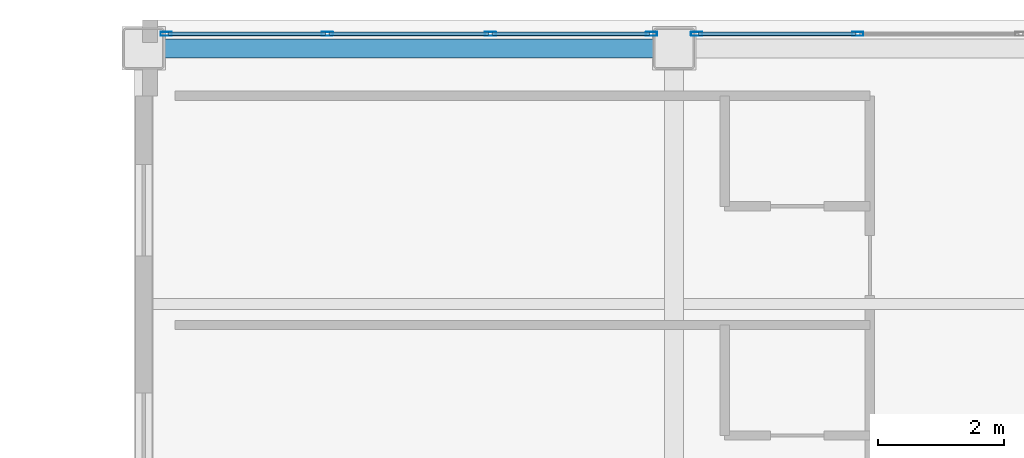
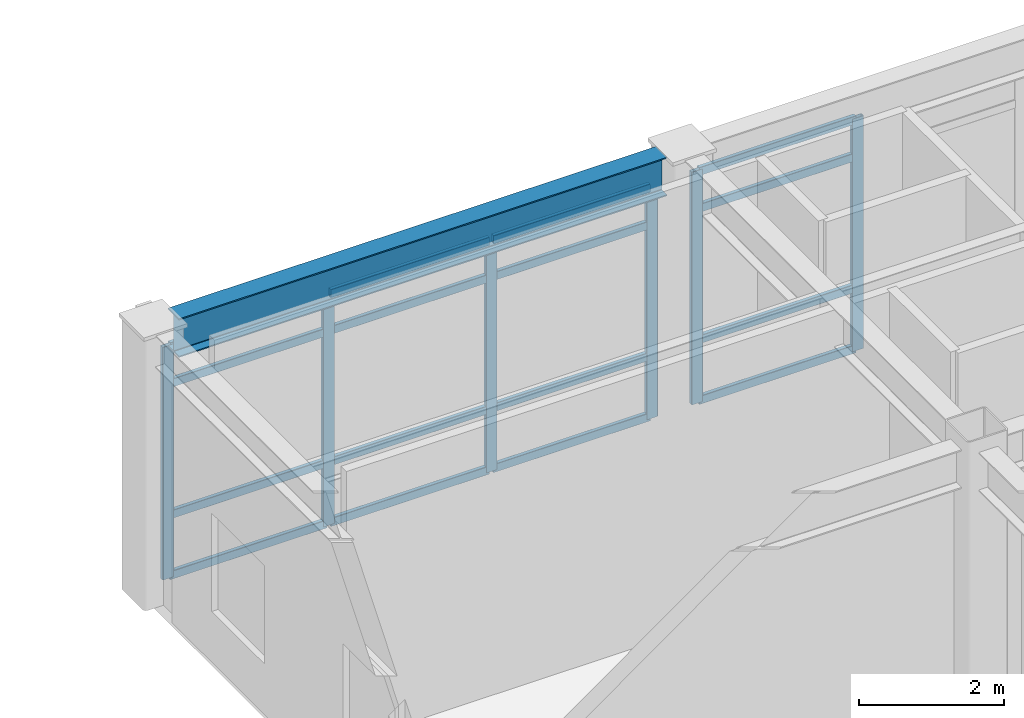
# One storey, part 37 of 61: 22 members, 1 beam, 2 elements without a shape of their own.
"""IFC4 building model written with IfcOpenShell, lengths in metres."""

from ifc_helpers import new_model, si_unit, direction, frame, origin, origin_2d, place, context, subcontext, project, spatial, hollow_rectangle, i_section, extrude, material, layer, layer_set, material_profile, profile_set, type_object, element, aggregate, save


model = new_model("IFC4")

# Units and contexts
model_context = context("Model", 3, precision=1e-05, world=origin(), true_north=direction((0.0, 1.0)))
body_context = subcontext(model_context, "Body", "Model", "MODEL_VIEW")
ifc_project = project(units=[si_unit("LENGTHUNIT", "METRE"), si_unit("AREAUNIT", "SQUARE_METRE"), si_unit("VOLUMEUNIT", "CUBIC_METRE"), si_unit("PLANEANGLEUNIT", "RADIAN"), si_unit("MASSUNIT", "GRAM", prefix="KILO")], contexts=[model_context])

# Site, building, storey
site_placement = place(None, origin())
site = spatial("IfcSite", under=ifc_project, at=site_placement, CompositionType="ELEMENT")
building_placement = place(site_placement, origin())
building = spatial("IfcBuilding", under=site, at=building_placement, Name="Kazehara Bluff Congress Hotel", CompositionType="ELEMENT")
storey_placement = place(building_placement, frame((0.0, 0.0, 19.800048828125)))
storey = spatial("IfcBuildingStorey", under=building, at=storey_placement, Name="L04", CompositionType="ELEMENT", Elevation=19.800048828125)

# Curtain wall, members
ifc_material_1 = material(Name="Anodised aluminium", Category="aluminium")
ifc_layer = layer(ifc_material_1, 0.159912109375)
ifc_layer_set = layer_set([ifc_layer], Name="Anodised aluminium")
curtain_wall_type = type_object("IfcCurtainWallType", Name="TP-CW-158", PredefinedType="NOTDEFINED", material=ifc_layer_set)
curtain_wall_1_placement = place(storey_placement, origin())
curtain_wall_1 = element("IfcCurtainWall", 1, at=curtain_wall_1_placement, inside=storey, type_object=curtain_wall_type, Name="L04 curtain wall CW-158 CW-ENC-V5-L04-14790-11378", PredefinedType="NOTDEFINED")
ifc_material_2 = material(Name="Anodised aluminium", Category="aluminium")
ifc_material_profile_1 = material_profile(ifc_material_2, hollow_rectangle(XDim=0.06494140625, YDim=0.179931640625, WallThickness=0.00390625, InnerFilletRadius=0.00390625, OuterFilletRadius=0.008056640625, at=origin_2d()))
ifc_profile_set_1 = profile_set([ifc_material_profile_1], Name="Anodised aluminium")
member_type_1 = type_object("IfcMemberType", Name="TP-CWM-02", PredefinedType="MULLION", material=ifc_profile_set_1)
member_1_placement = place(storey_placement, frame((144.0576171875, 113.780029296875, 0.0), z_axis=(0.0, 0.0, 1.0), x_axis=(0.0, 1.0, 0.0)))
member_1 = element("IfcMember", 2, at=member_1_placement, type_object=member_type_1, Name="CW-158 mullion 1", PredefinedType="MULLION", context=body_context, shape_type="SweptSolid", body=[
    extrude(hollow_rectangle(XDim=0.06494140625, YDim=0.179931640625, WallThickness=0.00390625, InnerFilletRadius=0.00390625, OuterFilletRadius=0.008056640625, at=origin_2d()), origin(), (0.0, 0.0, 1.0), 3.905029296875),
])
member_2_placement = place(storey_placement, frame((146.6083984375, 113.780029296875, 0.0), z_axis=(0.0, 0.0, 1.0), x_axis=(0.0, 1.0, 0.0)))
member_2 = element("IfcMember", 3, at=member_2_placement, type_object=member_type_1, Name="CW-158 mullion 2", PredefinedType="MULLION", context=body_context, shape_type="SweptSolid", body=[
    extrude(hollow_rectangle(XDim=0.06494140625, YDim=0.179931640625, WallThickness=0.00390625, InnerFilletRadius=0.00390625, OuterFilletRadius=0.008056640625, at=origin_2d()), origin(), (0.0, 0.0, 1.0), 3.905029296875),
])
member_3_placement = place(storey_placement, frame((149.191650390625, 113.780029296875, 0.0), z_axis=(0.0, 0.0, 1.0), x_axis=(0.0, 1.0, 0.0)))
member_3 = element("IfcMember", 4, at=member_3_placement, type_object=member_type_1, Name="CW-158 mullion 3", PredefinedType="MULLION", context=body_context, shape_type="SweptSolid", body=[
    extrude(hollow_rectangle(XDim=0.06494140625, YDim=0.179931640625, WallThickness=0.00390625, InnerFilletRadius=0.00390625, OuterFilletRadius=0.008056640625, at=origin_2d()), origin(), (0.0, 0.0, 1.0), 3.905029296875),
])
member_4_placement = place(storey_placement, frame((151.742431640625, 113.780029296875, 0.0), z_axis=(0.0, 0.0, 1.0), x_axis=(0.0, 1.0, 0.0)))
member_4 = element("IfcMember", 5, at=member_4_placement, type_object=member_type_1, Name="CW-158 mullion 4", PredefinedType="MULLION", context=body_context, shape_type="SweptSolid", body=[
    extrude(hollow_rectangle(XDim=0.06494140625, YDim=0.179931640625, WallThickness=0.00390625, InnerFilletRadius=0.00390625, OuterFilletRadius=0.008056640625, at=origin_2d()), origin(), (0.0, 0.0, 1.0), 3.905029296875),
])

curtain_wall_2_placement = place(storey_placement, origin())
curtain_wall_2 = element("IfcCurtainWall", 6, at=curtain_wall_2_placement, inside=storey, type_object=curtain_wall_type, Name="L04 curtain wall CW-158 CW-ENC-V5-L04-15630-11378", PredefinedType="NOTDEFINED")
member_5_placement = place(storey_placement, frame((152.45751953125, 113.780029296875, 0.0), z_axis=(0.0, 0.0, 1.0), x_axis=(0.0, 1.0, 0.0)))
member_5 = element("IfcMember", 7, at=member_5_placement, type_object=member_type_1, Name="CW-158 mullion 1", PredefinedType="MULLION", context=body_context, shape_type="SweptSolid", body=[
    extrude(hollow_rectangle(XDim=0.06494140625, YDim=0.179931640625, WallThickness=0.00390625, InnerFilletRadius=0.00390625, OuterFilletRadius=0.008056640625, at=origin_2d()), origin(), (0.0, 0.0, 1.0), 3.905029296875),
])
member_6_placement = place(storey_placement, frame((155.00830078125, 113.780029296875, 0.0), z_axis=(0.0, 0.0, 1.0), x_axis=(0.0, 1.0, 0.0)))
member_6 = element("IfcMember", 8, at=member_6_placement, type_object=member_type_1, Name="CW-158 mullion 2", PredefinedType="MULLION", context=body_context, shape_type="SweptSolid", body=[
    extrude(hollow_rectangle(XDim=0.06494140625, YDim=0.179931640625, WallThickness=0.00390625, InnerFilletRadius=0.00390625, OuterFilletRadius=0.008056640625, at=origin_2d()), origin(), (0.0, 0.0, 1.0), 3.905029296875),
])

# Member
ifc_material_3 = material(Name="Anodised aluminium", Category="aluminium")
ifc_material_profile_2 = material_profile(ifc_material_3, hollow_rectangle(XDim=0.06494140625, YDim=0.139892578125, WallThickness=0.00390625, InnerFilletRadius=0.00390625, OuterFilletRadius=0.008056640625, at=origin_2d()))
ifc_profile_set_2 = profile_set([ifc_material_profile_2], Name="Anodised aluminium")
member_type_2 = type_object("IfcMemberType", Name="TP-CWT-02", PredefinedType="USERDEFINED", material=ifc_profile_set_2)
member_7_placement = place(storey_placement, frame((144.090087890625, 113.780029296875, 0.032470703125), z_axis=(1.0, 0.0, 0.0), x_axis=(0.0, 1.0, 0.0)))
member_7 = element("IfcMember", 9, at=member_7_placement, type_object=member_type_2, Name="CW-158 transom 1.1", ObjectType="TRANSOM", PredefinedType="USERDEFINED", context=body_context, shape_type="SweptSolid", body=[
    extrude(hollow_rectangle(XDim=0.06494140625, YDim=0.139892578125, WallThickness=0.00390625, InnerFilletRadius=0.00390625, OuterFilletRadius=0.008056640625, at=origin_2d()), origin(), (0.0, 0.0, 1.0), 2.48583984375),
])

member_8_placement = place(storey_placement, frame((144.090087890625, 113.780029296875, 1.050048828125), z_axis=(1.0, 0.0, 0.0), x_axis=(0.0, 1.0, 0.0)))
member_8 = element("IfcMember", 10, at=member_8_placement, type_object=member_type_2, Name="CW-158 transom 1.2", ObjectType="TRANSOM", PredefinedType="USERDEFINED", context=body_context, shape_type="SweptSolid", body=[
    extrude(hollow_rectangle(XDim=0.06494140625, YDim=0.139892578125, WallThickness=0.00390625, InnerFilletRadius=0.00390625, OuterFilletRadius=0.008056640625, at=origin_2d()), origin(), (0.0, 0.0, 1.0), 2.48583984375),
])

member_9_placement = place(storey_placement, frame((144.090087890625, 113.780029296875, 3.2548828125), z_axis=(1.0, 0.0, 0.0), x_axis=(0.0, 1.0, 0.0)))
member_9 = element("IfcMember", 11, at=member_9_placement, type_object=member_type_2, Name="CW-158 transom 1.3", ObjectType="TRANSOM", PredefinedType="USERDEFINED", context=body_context, shape_type="SweptSolid", body=[
    extrude(hollow_rectangle(XDim=0.06494140625, YDim=0.139892578125, WallThickness=0.00390625, InnerFilletRadius=0.00390625, OuterFilletRadius=0.008056640625, at=origin_2d()), origin(), (0.0, 0.0, 1.0), 2.48583984375),
])

member_10_placement = place(storey_placement, frame((144.090087890625, 113.780029296875, 3.87255859375), z_axis=(1.0, 0.0, 0.0), x_axis=(0.0, 1.0, 0.0)))
member_10 = element("IfcMember", 12, at=member_10_placement, type_object=member_type_2, Name="CW-158 transom 1.4", ObjectType="TRANSOM", PredefinedType="USERDEFINED", context=body_context, shape_type="SweptSolid", body=[
    extrude(hollow_rectangle(XDim=0.06494140625, YDim=0.139892578125, WallThickness=0.00390625, InnerFilletRadius=0.00390625, OuterFilletRadius=0.008056640625, at=origin_2d()), origin(), (0.0, 0.0, 1.0), 2.48583984375),
])

member_11_placement = place(storey_placement, frame((146.640869140625, 113.780029296875, 0.032470703125), z_axis=(1.0, 0.0, 0.0), x_axis=(0.0, 1.0, 0.0)))
member_11 = element("IfcMember", 13, at=member_11_placement, type_object=member_type_2, Name="CW-158 transom 2.1", ObjectType="TRANSOM", PredefinedType="USERDEFINED", context=body_context, shape_type="SweptSolid", body=[
    extrude(hollow_rectangle(XDim=0.06494140625, YDim=0.139892578125, WallThickness=0.00390625, InnerFilletRadius=0.00390625, OuterFilletRadius=0.008056640625, at=origin_2d()), origin(), (0.0, 0.0, 1.0), 2.518310546875),
])

member_12_placement = place(storey_placement, frame((146.640869140625, 113.780029296875, 1.050048828125), z_axis=(1.0, 0.0, 0.0), x_axis=(0.0, 1.0, 0.0)))
member_12 = element("IfcMember", 14, at=member_12_placement, type_object=member_type_2, Name="CW-158 transom 2.2", ObjectType="TRANSOM", PredefinedType="USERDEFINED", context=body_context, shape_type="SweptSolid", body=[
    extrude(hollow_rectangle(XDim=0.06494140625, YDim=0.139892578125, WallThickness=0.00390625, InnerFilletRadius=0.00390625, OuterFilletRadius=0.008056640625, at=origin_2d()), origin(), (0.0, 0.0, 1.0), 2.518310546875),
])

member_13_placement = place(storey_placement, frame((146.640869140625, 113.780029296875, 3.2548828125), z_axis=(1.0, 0.0, 0.0), x_axis=(0.0, 1.0, 0.0)))
member_13 = element("IfcMember", 15, at=member_13_placement, type_object=member_type_2, Name="CW-158 transom 2.3", ObjectType="TRANSOM", PredefinedType="USERDEFINED", context=body_context, shape_type="SweptSolid", body=[
    extrude(hollow_rectangle(XDim=0.06494140625, YDim=0.139892578125, WallThickness=0.00390625, InnerFilletRadius=0.00390625, OuterFilletRadius=0.008056640625, at=origin_2d()), origin(), (0.0, 0.0, 1.0), 2.518310546875),
])

member_14_placement = place(storey_placement, frame((146.640869140625, 113.780029296875, 3.87255859375), z_axis=(1.0, 0.0, 0.0), x_axis=(0.0, 1.0, 0.0)))
member_14 = element("IfcMember", 16, at=member_14_placement, type_object=member_type_2, Name="CW-158 transom 2.4", ObjectType="TRANSOM", PredefinedType="USERDEFINED", context=body_context, shape_type="SweptSolid", body=[
    extrude(hollow_rectangle(XDim=0.06494140625, YDim=0.139892578125, WallThickness=0.00390625, InnerFilletRadius=0.00390625, OuterFilletRadius=0.008056640625, at=origin_2d()), origin(), (0.0, 0.0, 1.0), 2.518310546875),
])

member_15_placement = place(storey_placement, frame((149.22412109375, 113.780029296875, 0.032470703125), z_axis=(1.0, 0.0, 0.0), x_axis=(0.0, 1.0, 0.0)))
member_15 = element("IfcMember", 17, at=member_15_placement, type_object=member_type_2, Name="CW-158 transom 3.1", ObjectType="TRANSOM", PredefinedType="USERDEFINED", context=body_context, shape_type="SweptSolid", body=[
    extrude(hollow_rectangle(XDim=0.06494140625, YDim=0.139892578125, WallThickness=0.00390625, InnerFilletRadius=0.00390625, OuterFilletRadius=0.008056640625, at=origin_2d()), origin(), (0.0, 0.0, 1.0), 2.48583984375),
])

member_16_placement = place(storey_placement, frame((149.22412109375, 113.780029296875, 1.050048828125), z_axis=(1.0, 0.0, 0.0), x_axis=(0.0, 1.0, 0.0)))
member_16 = element("IfcMember", 18, at=member_16_placement, type_object=member_type_2, Name="CW-158 transom 3.2", ObjectType="TRANSOM", PredefinedType="USERDEFINED", context=body_context, shape_type="SweptSolid", body=[
    extrude(hollow_rectangle(XDim=0.06494140625, YDim=0.139892578125, WallThickness=0.00390625, InnerFilletRadius=0.00390625, OuterFilletRadius=0.008056640625, at=origin_2d()), origin(), (0.0, 0.0, 1.0), 2.48583984375),
])

member_17_placement = place(storey_placement, frame((149.22412109375, 113.780029296875, 3.2548828125), z_axis=(1.0, 0.0, 0.0), x_axis=(0.0, 1.0, 0.0)))
member_17 = element("IfcMember", 19, at=member_17_placement, type_object=member_type_2, Name="CW-158 transom 3.3", ObjectType="TRANSOM", PredefinedType="USERDEFINED", context=body_context, shape_type="SweptSolid", body=[
    extrude(hollow_rectangle(XDim=0.06494140625, YDim=0.139892578125, WallThickness=0.00390625, InnerFilletRadius=0.00390625, OuterFilletRadius=0.008056640625, at=origin_2d()), origin(), (0.0, 0.0, 1.0), 2.48583984375),
])

member_18_placement = place(storey_placement, frame((149.22412109375, 113.780029296875, 3.87255859375), z_axis=(1.0, 0.0, 0.0), x_axis=(0.0, 1.0, 0.0)))
member_18 = element("IfcMember", 20, at=member_18_placement, type_object=member_type_2, Name="CW-158 transom 3.4", ObjectType="TRANSOM", PredefinedType="USERDEFINED", context=body_context, shape_type="SweptSolid", body=[
    extrude(hollow_rectangle(XDim=0.06494140625, YDim=0.139892578125, WallThickness=0.00390625, InnerFilletRadius=0.00390625, OuterFilletRadius=0.008056640625, at=origin_2d()), origin(), (0.0, 0.0, 1.0), 2.48583984375),
])

aggregate(curtain_wall_1, [member_1, member_2, member_3, member_4, member_7, member_8, member_9, member_10, member_11, member_12, member_13, member_14, member_15, member_16, member_17, member_18])

member_19_placement = place(storey_placement, frame((152.489990234375, 113.780029296875, 0.032470703125), z_axis=(1.0, 0.0, 0.0), x_axis=(0.0, 1.0, 0.0)))
member_19 = element("IfcMember", 21, at=member_19_placement, type_object=member_type_2, Name="CW-158 transom 1.1", ObjectType="TRANSOM", PredefinedType="USERDEFINED", context=body_context, shape_type="SweptSolid", body=[
    extrude(hollow_rectangle(XDim=0.06494140625, YDim=0.139892578125, WallThickness=0.00390625, InnerFilletRadius=0.00390625, OuterFilletRadius=0.008056640625, at=origin_2d()), origin(), (0.0, 0.0, 1.0), 2.48583984375),
])

member_20_placement = place(storey_placement, frame((152.489990234375, 113.780029296875, 1.050048828125), z_axis=(1.0, 0.0, 0.0), x_axis=(0.0, 1.0, 0.0)))
member_20 = element("IfcMember", 22, at=member_20_placement, type_object=member_type_2, Name="CW-158 transom 1.2", ObjectType="TRANSOM", PredefinedType="USERDEFINED", context=body_context, shape_type="SweptSolid", body=[
    extrude(hollow_rectangle(XDim=0.06494140625, YDim=0.139892578125, WallThickness=0.00390625, InnerFilletRadius=0.00390625, OuterFilletRadius=0.008056640625, at=origin_2d()), origin(), (0.0, 0.0, 1.0), 2.48583984375),
])

member_21_placement = place(storey_placement, frame((152.489990234375, 113.780029296875, 3.2548828125), z_axis=(1.0, 0.0, 0.0), x_axis=(0.0, 1.0, 0.0)))
member_21 = element("IfcMember", 23, at=member_21_placement, type_object=member_type_2, Name="CW-158 transom 1.3", ObjectType="TRANSOM", PredefinedType="USERDEFINED", context=body_context, shape_type="SweptSolid", body=[
    extrude(hollow_rectangle(XDim=0.06494140625, YDim=0.139892578125, WallThickness=0.00390625, InnerFilletRadius=0.00390625, OuterFilletRadius=0.008056640625, at=origin_2d()), origin(), (0.0, 0.0, 1.0), 2.48583984375),
])

member_22_placement = place(storey_placement, frame((152.489990234375, 113.780029296875, 3.87255859375), z_axis=(1.0, 0.0, 0.0), x_axis=(0.0, 1.0, 0.0)))
member_22 = element("IfcMember", 24, at=member_22_placement, type_object=member_type_2, Name="CW-158 transom 1.4", ObjectType="TRANSOM", PredefinedType="USERDEFINED", context=body_context, shape_type="SweptSolid", body=[
    extrude(hollow_rectangle(XDim=0.06494140625, YDim=0.139892578125, WallThickness=0.00390625, InnerFilletRadius=0.00390625, OuterFilletRadius=0.008056640625, at=origin_2d()), origin(), (0.0, 0.0, 1.0), 2.48583984375),
])

aggregate(curtain_wall_2, [member_5, member_6, member_19, member_20, member_21, member_22])

# Beam
ifc_material_4 = material(Name="Steel SN490B", Category="steel")
ifc_material_profile_3 = material_profile(ifc_material_4, i_section(OverallWidth=0.300048828125, OverallDepth=0.64990234375, WebThickness=0.011962890625, FlangeThickness=0.02001953125, FilletRadius=0.012939453125, at=origin_2d()))
ifc_profile_set_3 = profile_set([ifc_material_profile_3], Name="Steel SN490B")
beam_type = type_object("IfcBeamType", Name="TP-G-03", PredefinedType="BEAM", material=ifc_profile_set_3)
beam_placement = place(storey_placement, frame((144.02490234375, 113.550048828125, 4.2548828125), z_axis=(1.0, 0.0, 0.0), x_axis=(0.0, 1.0, 0.0)))
element("IfcBeam", 25, at=beam_placement, inside=storey, type_object=beam_type, Name="L04 girder G-03 116", PredefinedType="BEAM", context=body_context, shape_type="SweptSolid", body=[
    extrude(i_section(OverallWidth=0.300048828125, OverallDepth=0.64990234375, WebThickness=0.011962890625, FlangeThickness=0.02001953125, FilletRadius=0.012939453125, at=origin_2d()), origin(), (0.0, 0.0, 1.0), 7.75),
])

save(model, "model.ifc")
